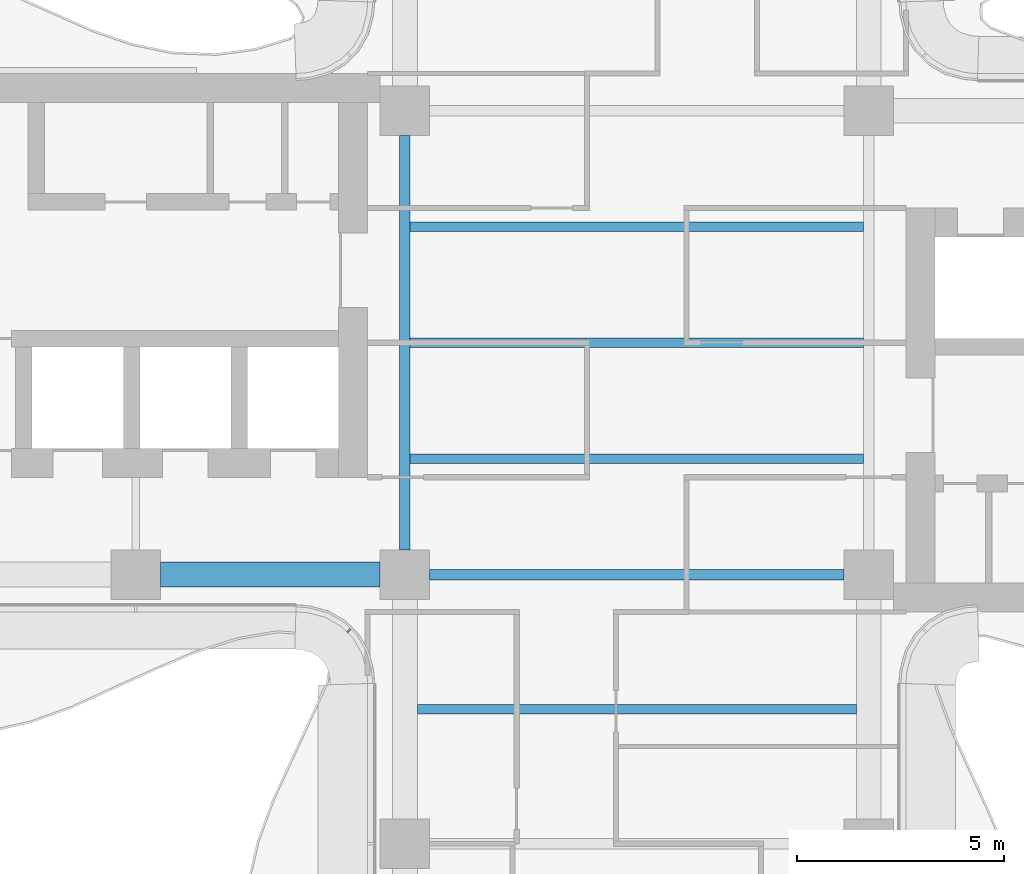
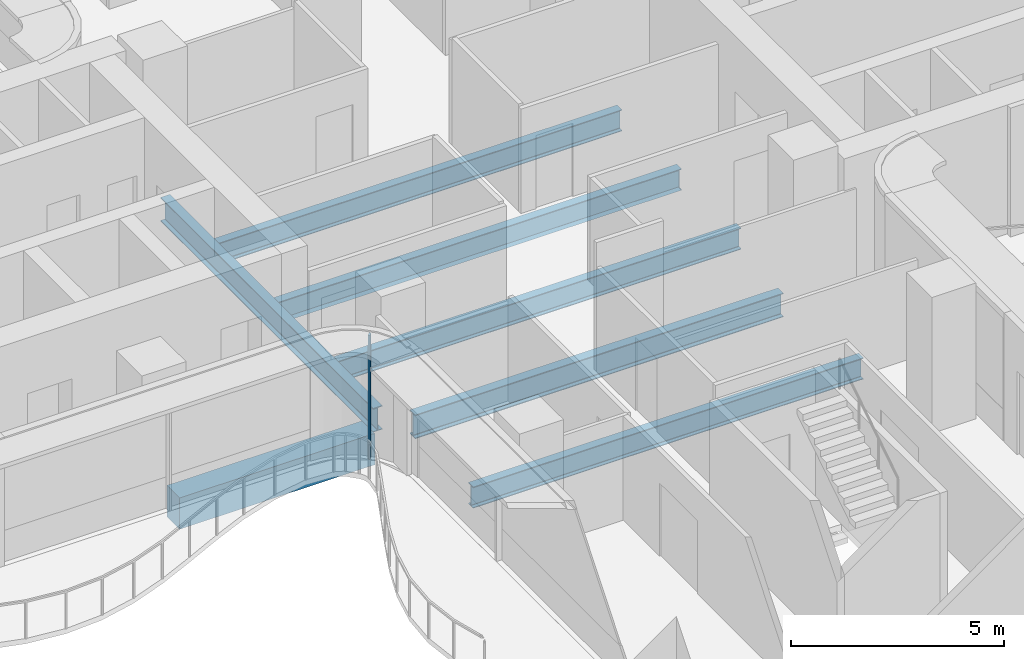
# One storey, part 4 of 18: 7 beams, 1 member, 1 element without a shape of its own.
"""IFC4 building model written with IfcOpenShell, lengths in metres."""

from ifc_helpers import new_model, si_unit, direction, frame, origin, origin_2d, place, context, subcontext, project, spatial, rectangle, i_section, extrude, source, transform, mapped, material, layer, layer_set, material_profile, profile_set, type_object, element, aggregate, save


model = new_model("IFC4")

# Units and contexts
model_context = context("Model", 3, precision=1e-05, world=origin(), true_north=direction((0.0, 1.0)))
body_context = subcontext(model_context, "Body", "Model", "MODEL_VIEW")
ifc_project = project(units=[si_unit("LENGTHUNIT", "METRE"), si_unit("AREAUNIT", "SQUARE_METRE"), si_unit("VOLUMEUNIT", "CUBIC_METRE"), si_unit("PLANEANGLEUNIT", "RADIAN"), si_unit("MASSUNIT", "GRAM", prefix="KILO")], contexts=[model_context])

# Site, building, storey
site_placement = place(None, origin())
site = spatial("IfcSite", under=ifc_project, at=site_placement, CompositionType="ELEMENT")
building_placement = place(site_placement, origin())
building = spatial("IfcBuilding", under=site, at=building_placement, Name="Trellis Farm Tower", CompositionType="ELEMENT")
storey_placement = place(building_placement, frame((0.0, 0.0, 189.300048828125)))
storey = spatial("IfcBuildingStorey", under=building, at=storey_placement, Name="L41", CompositionType="ELEMENT", Elevation=189.300048828125)

# Beams
ifc_material_1 = material(Name="Concrete C60/75", Category="concrete")
ifc_material_profile_1 = material_profile(ifc_material_1, rectangle(XDim=0.60009765625, YDim=0.89990234375, at=origin_2d()), Name="RC spandrel beam 600x900 C60/75")
ifc_profile_set_1 = profile_set([ifc_material_profile_1], Name="Concrete C60/75")
beam_type_1 = type_object("IfcBeamType", Name="RC spandrel beam 600x900 C60/75", PredefinedType="SPANDREL", material=ifc_profile_set_1)
shared_shape_1 = source(origin(), body_context, "Body", "SweptSolid", [
    extrude(rectangle(XDim=0.60009765625, YDim=0.89990234375, at=origin_2d()), origin(), (0.0, 0.0, 1.0), 5.300048828125),
])
beam_1_placement = place(storey_placement, frame((-11.5, -5.60009765625, -0.650146484375), z_axis=(1.0, 0.0, 0.0), x_axis=(0.0, 1.0, 0.0)))
element("IfcBeam", 1, at=beam_1_placement, inside=storey, type_object=beam_type_1, Name="Girder", PredefinedType="SPANDREL", context=body_context, shape_type="MappedRepresentation", body=[
    mapped(shared_shape_1, transform((0.0, 0.0, 0.0))),
])
ifc_material_2 = material(Name="Steel S355", Category="steel")
ifc_material_profile_2 = material_profile(ifc_material_2, i_section(OverallWidth=0.253662109375, OverallDepth=0.68359375, WebThickness=0.012451171875, FlangeThickness=0.021728515625, FilletRadius=0.01513671875, at=origin_2d()), Name="UB 686x254x140")
ifc_profile_set_2 = profile_set([ifc_material_profile_2], Name="Steel S355")
beam_type_2 = type_object("IfcBeamType", Name="UB 686x254x140", PredefinedType="BEAM", material=ifc_profile_set_2)
shared_shape_2 = source(origin(), body_context, "Body", "SweptSolid", [
    extrude(i_section(OverallWidth=0.253662109375, OverallDepth=0.68359375, WebThickness=0.012451171875, FlangeThickness=0.021728515625, FilletRadius=0.01513671875, at=origin_2d()), origin(), (0.0, 0.0, 1.0), 10.0),
])
for number, where, z_axis, x_axis, name in (
    (2, (-5.0, -5.60009765625, -0.541748046875), (1.0, 0.0, 0.0), (0.0, 1.0, 0.0), "Girder"),
    (3, (-5.60009765625, -5.0, -0.541748046875), (0.0, 1.0, 0.0), (-1.0, 0.0, 0.0), "Girder"),
):
    element("IfcBeam", number, at=place(storey_placement, frame(where, z_axis=z_axis, x_axis=x_axis)), inside=storey, type_object=beam_type_2, Name=name, PredefinedType="BEAM", context=body_context, shape_type="MappedRepresentation", body=[
        mapped(shared_shape_2, transform((0.0, 0.0, 0.0))),
    ])
ifc_material_profile_3 = material_profile(ifc_material_2, i_section(OverallWidth=0.22900390625, OverallDepth=0.6123046875, WebThickness=0.011962890625, FlangeThickness=0.01953125, FilletRadius=0.0126953125, at=origin_2d()), Name="UB 610x229x125")
ifc_profile_set_3 = profile_set([ifc_material_profile_3], Name="Steel S355")
beam_type_3 = type_object("IfcBeamType", Name="UB 610x229x125 joist", PredefinedType="JOIST", material=ifc_profile_set_3)
shared_shape_3 = source(origin(), body_context, "Body", "SweptSolid", [
    extrude(i_section(OverallWidth=0.22900390625, OverallDepth=0.6123046875, WebThickness=0.011962890625, FlangeThickness=0.01953125, FilletRadius=0.0126953125, at=origin_2d()), origin(), (0.0, 0.0, 1.0), 10.9462890625),
])
for number, where, z_axis, x_axis, name in (
    (4, (-5.47314453125, -2.800048828125, -0.506103515625), (1.0, 0.0, 0.0), (0.0, 1.0, 0.0), "Floor beam"),
    (5, (-5.47314453125, 0.0, -0.506103515625), (1.0, 0.0, 0.0), (0.0, 1.0, 0.0), "Floor beam"),
    (6, (-5.47314453125, 2.800048828125, -0.506103515625), (1.0, 0.0, 0.0), (0.0, 1.0, 0.0), "Floor beam"),
):
    element("IfcBeam", number, at=place(storey_placement, frame(where, z_axis=z_axis, x_axis=x_axis)), inside=storey, type_object=beam_type_3, Name=name, PredefinedType="JOIST", context=body_context, shape_type="MappedRepresentation", body=[
        mapped(shared_shape_3, transform((0.0, 0.0, 0.0))),
    ])
shared_shape_4 = source(origin(), body_context, "Body", "SweptSolid", [
    extrude(i_section(OverallWidth=0.22900390625, OverallDepth=0.6123046875, WebThickness=0.011962890625, FlangeThickness=0.01953125, FilletRadius=0.0126953125, at=origin_2d()), origin(), (0.0, 0.0, 1.0), 10.60009765625),
])
beam_2_placement = place(storey_placement, frame((-5.300048828125, -8.85009765625, -0.506103515625), z_axis=(1.0, 0.0, 0.0), x_axis=(0.0, 1.0, 0.0)))
element("IfcBeam", 7, at=beam_2_placement, inside=storey, type_object=beam_type_3, Name="Floor beam", PredefinedType="JOIST", context=body_context, shape_type="MappedRepresentation", body=[
    mapped(shared_shape_4, transform((0.0, 0.0, 0.0))),
])

# Curtain wall, member
ifc_material_3 = material(Name="Aluminium and glass curtain wall", Category="aluminium")
ifc_layer = layer(ifc_material_3, 0.166015625)
ifc_layer_set = layer_set([ifc_layer], Name="WINTER GARDEN CURTAIN WALL CW3")
curtain_wall_type = type_object("IfcCurtainWallType", Name="WINTER GARDEN CURTAIN WALL CW3", PredefinedType="NOTDEFINED", material=ifc_layer_set)
curtain_wall_placement = place(storey_placement, origin())
curtain_wall = element("IfcCurtainWall", 8, at=curtain_wall_placement, inside=storey, type_object=curtain_wall_type, Name="CW3 001", PredefinedType="NOTDEFINED")
ifc_material_4 = material(Name="Aluminium extrusion 6063-T6", Category="aluminium")
ifc_material_profile_4 = material_profile(ifc_material_4, rectangle(XDim=0.050048828125, YDim=0.1201171875, at=origin_2d()), Name="MULLION 50x120")
ifc_profile_set_4 = profile_set([ifc_material_profile_4], Name="Aluminium extrusion 6063-T6")
member_type = type_object("IfcMemberType", Name="CW3 MULLION 50x120", PredefinedType="MULLION", material=ifc_profile_set_4)
shared_shape_5 = source(origin(), body_context, "Body", "SweptSolid", [
    extrude(rectangle(XDim=0.050048828125, YDim=0.1201171875, at=origin_2d()), origin(), (0.0, 0.0, 1.0), 3.550048828125),
])
member_placement = place(storey_placement, frame((-6.953125, -6.953125, 0.0), z_axis=(0.0, 0.0, 1.0), x_axis=(0.707106781187, -0.707106781187, 0.0)))
member = element("IfcMember", 9, at=member_placement, type_object=member_type, Name="MU3 001-01", PredefinedType="MULLION", context=body_context, shape_type="MappedRepresentation", body=[
    mapped(shared_shape_5, transform((0.0, 0.0, 0.0))),
])
aggregate(curtain_wall, [member])

save(model, "model.ifc")
